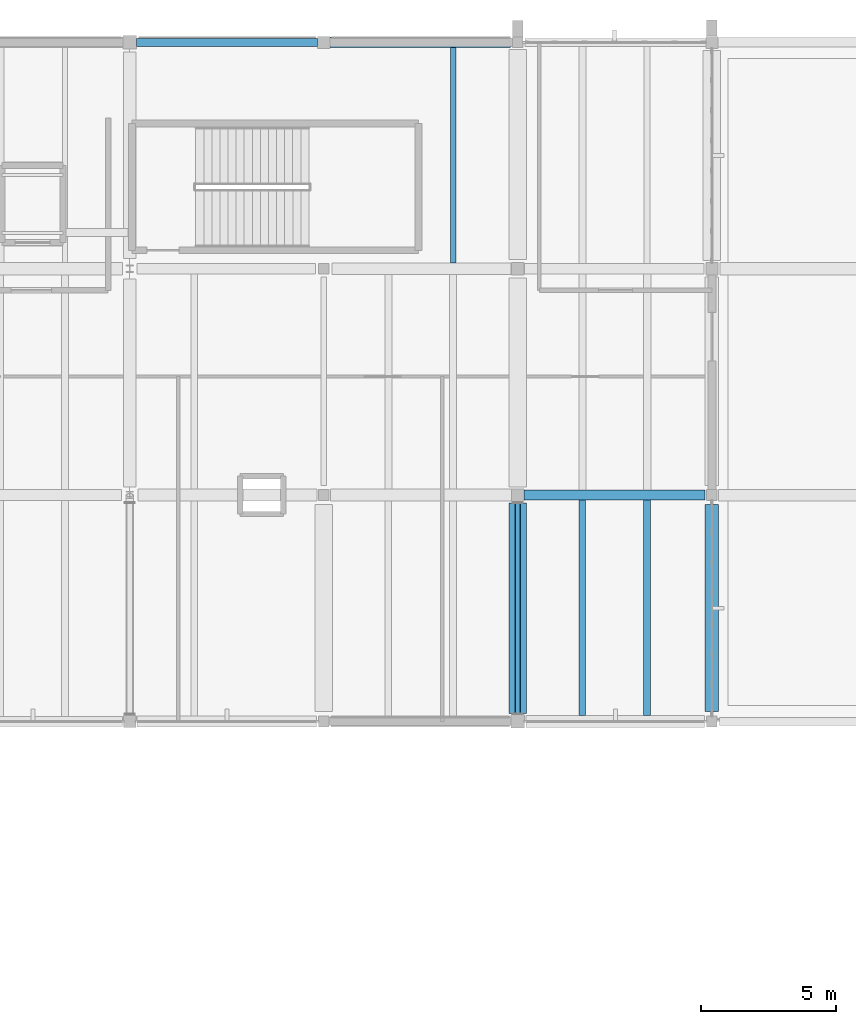
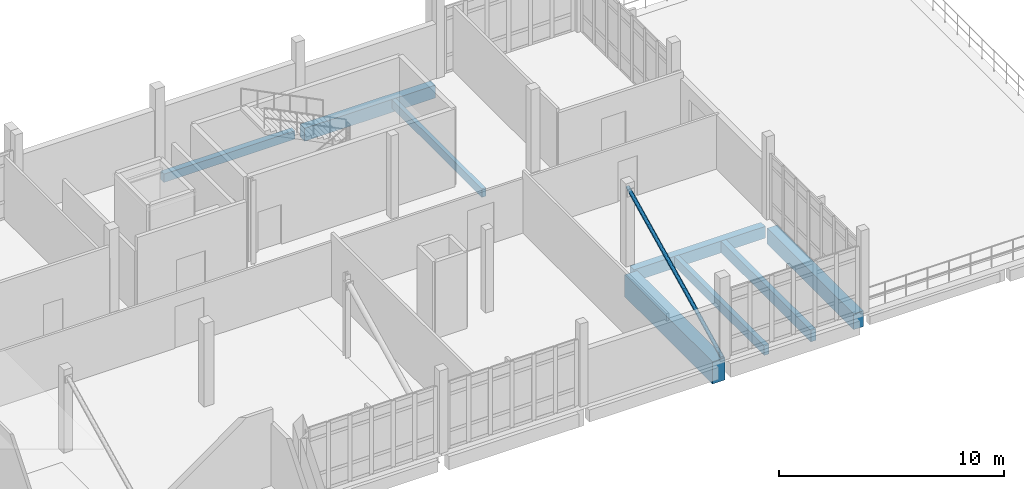
# One storey, part 16 of 34: 8 beams, 1 member.
"""IFC4 building model written with IfcOpenShell, lengths in metres."""

from ifc_helpers import new_model, si_unit, direction, frame, origin, origin_2d, place, context, subcontext, project, spatial, rectangle, hollow_circle, extrude, material, material_profile, profile_set, type_object, element, save


model = new_model("IFC4")

# Units and contexts
model_context = context("Model", 3, precision=1e-05, world=origin(), true_north=direction((0.0, 1.0)))
body_context = subcontext(model_context, "Body", "Model", "MODEL_VIEW")
ifc_project = project(units=[si_unit("LENGTHUNIT", "METRE"), si_unit("AREAUNIT", "SQUARE_METRE"), si_unit("VOLUMEUNIT", "CUBIC_METRE"), si_unit("PLANEANGLEUNIT", "RADIAN"), si_unit("MASSUNIT", "GRAM", prefix="KILO")], contexts=[model_context])

# Site, building, storey
site_placement = place(None, origin())
site = spatial("IfcSite", under=ifc_project, at=site_placement, CompositionType="ELEMENT")
building_placement = place(site_placement, origin())
building = spatial("IfcBuilding", under=site, at=building_placement, Name="Kalluvel Institute of Natural Sciences", CompositionType="ELEMENT")
storey_placement = place(building_placement, frame((0.0, 0.0, 36.89990234375)))
storey = spatial("IfcBuildingStorey", under=building, at=storey_placement, Name="L08", CompositionType="ELEMENT", Elevation=36.89990234375)

# Beams
ifc_material_1 = material(Name="Concrete M40", Category="concrete")
ifc_material_profile_1 = material_profile(ifc_material_1, rectangle(XDim=0.3798828125, YDim=0.639892578125, at=origin_2d()), Name="RCB 380x640")
ifc_profile_set_1 = profile_set([ifc_material_profile_1], Name="Concrete M40")
beam_type_1 = type_object("IfcBeamType", Name="BM-RC380x640", PredefinedType="BEAM", material=ifc_profile_set_1)
beam_1_placement = place(storey_placement, frame((79.02490234375, 111.199951171875, -0.639892578125), z_axis=(1.0, 0.0, 0.0), x_axis=(0.0, 1.0, 0.0)))
element("IfcBeam", 1, at=beam_1_placement, inside=storey, type_object=beam_type_1, Name="L08 girder GIR-L08-EW-X788-Y1112", PredefinedType="BEAM", context=body_context, shape_type="SweptSolid", body=[
    extrude(rectangle(XDim=0.3798828125, YDim=0.639892578125, at=origin_2d()), origin(), (0.0, 0.0, 1.0), 6.72509765625),
])
ifc_material_2 = material(Name="Concrete M50", Category="concrete")
ifc_material_profile_2 = material_profile(ifc_material_2, rectangle(XDim=0.5, YDim=0.85009765625, at=origin_2d()), Name="RCB 500x850")
ifc_profile_set_2 = profile_set([ifc_material_profile_2], Name="Concrete M50")
beam_type_2 = type_object("IfcBeamType", Name="BM-RC500x850", PredefinedType="BEAM", material=ifc_profile_set_2)
beam_2_placement = place(storey_placement, frame((86.0, 103.175048828125, -0.744873046875), z_axis=(0.0, 1.0, 0.0), x_axis=(-1.0, 0.0, 0.0)))
element("IfcBeam", 2, at=beam_2_placement, inside=storey, type_object=beam_type_2, Name="L08 girder GIR-L08-NS-X860-Y1028", PredefinedType="BEAM", context=body_context, shape_type="SweptSolid", body=[
    extrude(rectangle(XDim=0.5, YDim=0.85009765625, at=origin_2d()), origin(), (0.0, 0.0, 1.0), 7.675048828125),
])
ifc_material_profile_3 = material_profile(ifc_material_2, rectangle(XDim=0.64990234375, YDim=1.199951171875, at=origin_2d()), Name="RCB 650x1200")
ifc_profile_set_3 = profile_set([ifc_material_profile_3], Name="Concrete M50")
beam_type_3 = type_object("IfcBeamType", Name="BM-RC650x1200", PredefinedType="BEAM", material=ifc_profile_set_3)
beam_3_placement = place(storey_placement, frame((78.800048828125, 103.10009765625, -0.919921875), z_axis=(0.0, 1.0, 0.0), x_axis=(-1.0, 0.0, 0.0)))
element("IfcBeam", 3, at=beam_3_placement, inside=storey, type_object=beam_type_3, Name="L08 girder GIR-L08-NS-X788-Y1028", PredefinedType="BEAM", context=body_context, shape_type="SweptSolid", body=[
    extrude(rectangle(XDim=0.64990234375, YDim=1.199951171875, at=origin_2d()), origin(), (0.0, 0.0, 1.0), 7.7998046875),
])

# Member
ifc_material_3 = material(Name="Steel E350 Grade 350", Category="steel")
ifc_material_profile_4 = material_profile(ifc_material_3, hollow_circle(Radius=0.096923828125, WallThickness=0.010009765625, at=origin_2d()), Name="CHS 193.7x10.0")
ifc_profile_set_4 = profile_set([ifc_material_profile_4], Name="Steel E350 Grade 350")
member_type = type_object("IfcMemberType", Name="MB-ST-CHS193", PredefinedType="STRUT", material=ifc_profile_set_4)
member_placement = place(storey_placement, frame((78.800048828125, 102.800048828125, 0.0), z_axis=(0.0, 0.896543394675, 0.44295591368), x_axis=(-1.0, 0.0, 0.0)))
element("IfcMember", 4, at=member_placement, inside=storey, type_object=member_type, Name="Crown lateral brace strut 5", PredefinedType="STRUT", context=body_context, shape_type="SweptSolid", body=[
    extrude(hollow_circle(Radius=0.096923828125, WallThickness=0.010009765625, at=origin_2d()), origin(), (0.0, 0.0, 1.0), 9.369140625),
])

# Beams
ifc_material_profile_5 = material_profile(ifc_material_1, rectangle(XDim=0.300048828125, YDim=0.449951171875, at=origin_2d()), Name="RCB 300x450")
ifc_profile_set_5 = profile_set([ifc_material_profile_5], Name="Concrete M40")
beam_type_4 = type_object("IfcBeamType", Name="SP-RC300x450", PredefinedType="SPANDREL", material=ifc_profile_set_5)
beam_4_placement = place(storey_placement, frame((64.64990234375, 128.0, -0.544921875), z_axis=(1.0, 0.0, 0.0), x_axis=(0.0, 1.0, 0.0)))
element("IfcBeam", 5, at=beam_4_placement, inside=storey, type_object=beam_type_4, Name="L08 girder GIR-L08-EW-X644-Y1280", PredefinedType="SPANDREL", context=body_context, shape_type="SweptSolid", body=[
    extrude(rectangle(XDim=0.300048828125, YDim=0.449951171875, at=origin_2d()), origin(), (0.0, 0.0, 1.0), 6.72509765625),
])
ifc_material_profile_6 = material_profile(ifc_material_1, rectangle(XDim=0.39990234375, YDim=0.699951171875, at=origin_2d()), Name="RCB 400x700")
ifc_profile_set_6 = profile_set([ifc_material_profile_6], Name="Concrete M40")
beam_type_5 = type_object("IfcBeamType", Name="SP-RC400x700", PredefinedType="SPANDREL", material=ifc_profile_set_6)
beam_5_placement = place(storey_placement, frame((71.824951171875, 128.0, -0.669921875), z_axis=(1.0, 0.0, 0.0), x_axis=(0.0, 1.0, 0.0)))
element("IfcBeam", 6, at=beam_5_placement, inside=storey, type_object=beam_type_5, Name="L08 girder GIR-L08-EW-X716-Y1280", PredefinedType="SPANDREL", context=body_context, shape_type="SweptSolid", body=[
    extrude(rectangle(XDim=0.39990234375, YDim=0.699951171875, at=origin_2d()), origin(), (0.0, 0.0, 1.0), 6.699951171875),
])
ifc_material_profile_7 = material_profile(ifc_material_1, rectangle(XDim=0.199951171875, YDim=0.4599609375, at=origin_2d()), Name="WAF 200x460")
ifc_profile_set_7 = profile_set([ifc_material_profile_7], Name="Concrete M40")
beam_type_6 = type_object("IfcBeamType", Name="WJ-200x460", PredefinedType="JOIST", material=ifc_profile_set_7)
beam_6_placement = place(storey_placement, frame((76.39990234375, 119.81005859375, -0.5498046875), z_axis=(0.0, 1.0, 0.0), x_axis=(-1.0, 0.0, 0.0)))
element("IfcBeam", 7, at=beam_6_placement, inside=storey, type_object=beam_type_6, Name="L08 waffle joist RIB-L08-0619", PredefinedType="JOIST", context=body_context, shape_type="SweptSolid", body=[
    extrude(rectangle(XDim=0.199951171875, YDim=0.4599609375, at=origin_2d()), origin(), (0.0, 0.0, 1.0), 7.989990234375),
])
ifc_material_profile_8 = material_profile(ifc_material_1, rectangle(XDim=0.239990234375, YDim=0.52001953125, at=origin_2d()), Name="WAF 240x520")
ifc_profile_set_8 = profile_set([ifc_material_profile_8], Name="Concrete M40")
beam_type_7 = type_object("IfcBeamType", Name="WJ-240x520", PredefinedType="JOIST", material=ifc_profile_set_8)
beam_7_placement = place(storey_placement, frame((81.199951171875, 103.02490234375, -0.579833984375), z_axis=(0.0, 1.0, 0.0), x_axis=(-1.0, 0.0, 0.0)))
element("IfcBeam", 8, at=beam_7_placement, inside=storey, type_object=beam_type_7, Name="L08 waffle joist RIB-L08-0620", PredefinedType="JOIST", context=body_context, shape_type="SweptSolid", body=[
    extrude(rectangle(XDim=0.239990234375, YDim=0.52001953125, at=origin_2d()), origin(), (0.0, 0.0, 1.0), 7.985107421875),
])
ifc_material_profile_9 = material_profile(ifc_material_2, rectangle(XDim=0.260009765625, YDim=0.6201171875, at=origin_2d()), Name="WAF 260x620")
ifc_profile_set_9 = profile_set([ifc_material_profile_9], Name="Concrete M50")
beam_type_8 = type_object("IfcBeamType", Name="WJ-260x620", PredefinedType="JOIST", material=ifc_profile_set_9)
beam_8_placement = place(storey_placement, frame((83.60009765625, 103.02490234375, -0.6298828125), z_axis=(0.0, 1.0, 0.0), x_axis=(-1.0, 0.0, 0.0)))
element("IfcBeam", 9, at=beam_8_placement, inside=storey, type_object=beam_type_8, Name="L08 waffle joist RIB-L08-0621", PredefinedType="JOIST", context=body_context, shape_type="SweptSolid", body=[
    extrude(rectangle(XDim=0.260009765625, YDim=0.6201171875, at=origin_2d()), origin(), (0.0, 0.0, 1.0), 7.985107421875),
])

save(model, "model.ifc")
